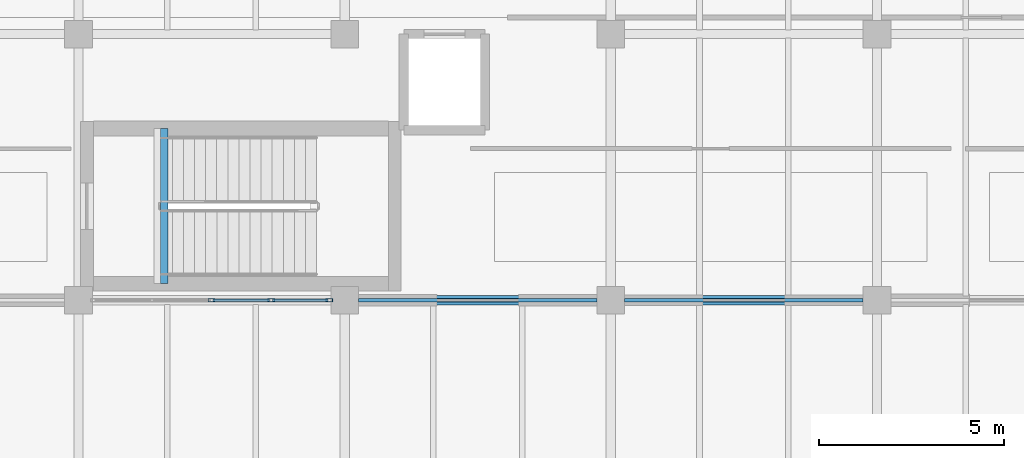
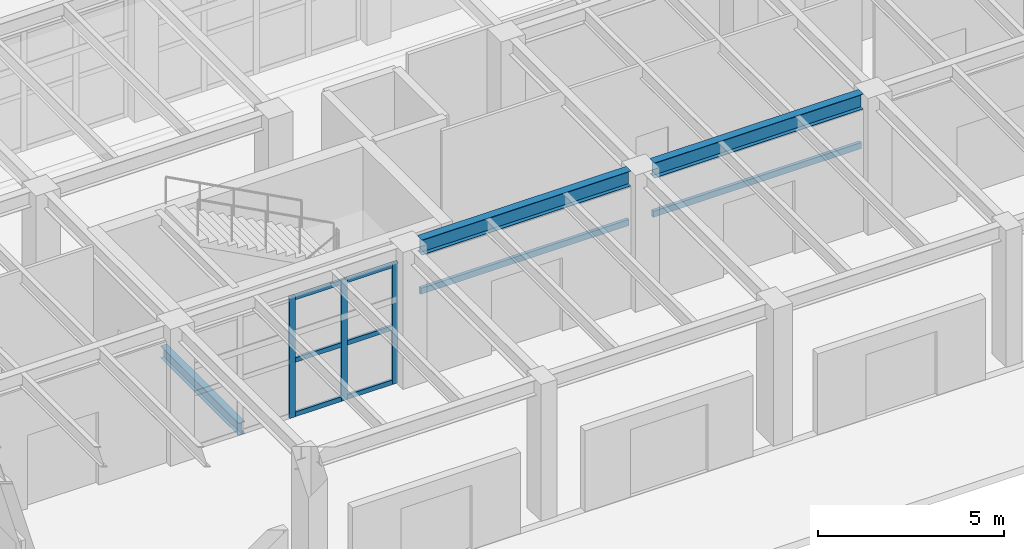
# One storey, part 9 of 39: 9 members, 5 beams, 1 element without a shape of its own.
"""IFC4 building model written with IfcOpenShell, lengths in metres."""

from ifc_helpers import new_model, si_unit, direction, frame, origin, origin_2d, place, context, subcontext, project, spatial, hollow_rectangle, i_section, extrude, material, layer, layer_set, material_profile, profile_set, type_object, element, aggregate, save


model = new_model("IFC4")

# Units and contexts
model_context = context("Model", 3, precision=1e-05, world=origin(), true_north=direction((0.0, 1.0)))
body_context = subcontext(model_context, "Body", "Model", "MODEL_VIEW")
ifc_project = project(units=[si_unit("LENGTHUNIT", "METRE"), si_unit("AREAUNIT", "SQUARE_METRE"), si_unit("VOLUMEUNIT", "CUBIC_METRE"), si_unit("PLANEANGLEUNIT", "RADIAN"), si_unit("MASSUNIT", "GRAM", prefix="KILO")], contexts=[model_context])

# Site, building, storey
site_placement = place(None, origin())
site = spatial("IfcSite", under=ifc_project, at=site_placement, CompositionType="ELEMENT")
building_placement = place(site_placement, origin())
building = spatial("IfcBuilding", under=site, at=building_placement, Name="Kandorven Conservatory and Botanical Research Centre", CompositionType="ELEMENT")
storey_placement = place(building_placement, origin())
storey = spatial("IfcBuildingStorey", under=building, at=storey_placement, Name="L00", CompositionType="ELEMENT", Elevation=0.0)

# Beams
ifc_material_1 = material(Name="Steel S355 (IS 2062 E350)", Category="steel")
ifc_material_profile_1 = material_profile(ifc_material_1, i_section(OverallWidth=0.25, OverallDepth=0.5, WebThickness=0.010009765625, FlangeThickness=0.0146484375, at=origin_2d()))
ifc_profile_set_1 = profile_set([ifc_material_profile_1], Name="Steel S355 (IS 2062 E350)")
beam_type_1 = type_object("IfcBeamType", Name="Beam_FG-02", PredefinedType="USERDEFINED", material=ifc_profile_set_1)
beam_1_placement = place(storey_placement, frame((56.764892578125, 13.199951171875, 4.22998046875), z_axis=(1.0, 0.0, 0.0), x_axis=(0.0, 1.0, 0.0)))
element("IfcBeam", 1, at=beam_1_placement, inside=storey, type_object=beam_type_1, Name="Primary girder FG-02 VIS L00", ObjectType="GIRDER", PredefinedType="USERDEFINED", context=body_context, shape_type="SweptSolid", body=[
    extrude(i_section(OverallWidth=0.25, OverallDepth=0.5, WebThickness=0.010009765625, FlangeThickness=0.0146484375, at=origin_2d()), origin(), (0.0, 0.0, 1.0), 6.47021484375),
])
beam_2_placement = place(storey_placement, frame((63.965087890625, 13.199951171875, 4.22998046875), z_axis=(1.0, 0.0, 0.0), x_axis=(0.0, 1.0, 0.0)))
element("IfcBeam", 2, at=beam_2_placement, inside=storey, type_object=beam_type_1, Name="Primary girder FG-02 VIS L00", ObjectType="GIRDER", PredefinedType="USERDEFINED", context=body_context, shape_type="SweptSolid", body=[
    extrude(i_section(OverallWidth=0.25, OverallDepth=0.5, WebThickness=0.010009765625, FlangeThickness=0.0146484375, at=origin_2d()), origin(), (0.0, 0.0, 1.0), 6.469970703125),
])
ifc_material_2 = material(Name="Steel S355 (IS 2062 E350)", Category="steel")
ifc_material_profile_2 = material_profile(ifc_material_2, i_section(OverallWidth=0.199951171875, OverallDepth=0.39990234375, WebThickness=0.008544921875, FlangeThickness=0.012939453125, at=origin_2d()))
ifc_profile_set_2 = profile_set([ifc_material_profile_2], Name="Steel S355 (IS 2062 E350)")
beam_type_2 = type_object("IfcBeamType", Name="Beam_FG-03", PredefinedType="USERDEFINED", material=ifc_profile_set_2)
beam_3_placement = place(storey_placement, frame((51.52001953125, 13.64990234375, -0.199951171875), z_axis=(0.0, 1.0, 0.0), x_axis=(-1.0, 0.0, 0.0)))
element("IfcBeam", 3, at=beam_3_placement, inside=storey, type_object=beam_type_2, Name="Stair well bottom trimmer girder FG-03 ST-V3A L00", ObjectType="GIRDER", PredefinedType="USERDEFINED", context=body_context, shape_type="SweptSolid", body=[
    extrude(i_section(OverallWidth=0.199951171875, OverallDepth=0.39990234375, WebThickness=0.008544921875, FlangeThickness=0.012939453125, at=origin_2d()), origin(), (0.0, 0.0, 1.0), 4.190185546875),
])
ifc_material_3 = material(Name="Steel S355 (IS 2062 E350)", Category="steel")
ifc_material_profile_3 = material_profile(ifc_material_3, hollow_rectangle(XDim=0.10009765625, YDim=0.199951171875, WallThickness=0.008056640625, at=origin_2d()))
ifc_profile_set_3 = profile_set([ifc_material_profile_3], Name="Steel S355 (IS 2062 E350)")
beam_type_3 = type_object("IfcBeamType", Name="Beam_LN-01", PredefinedType="LINTEL", material=ifc_profile_set_3)
beam_4_placement = place(storey_placement, frame((56.77490234375, 13.199951171875, 2.75), z_axis=(1.0, 0.0, 0.0), x_axis=(0.0, 1.0, 0.0)))
element("IfcBeam", 4, at=beam_4_placement, inside=storey, type_object=beam_type_3, Name="Column-to-column opening transom lintel LN-01 L00-3-1", PredefinedType="LINTEL", context=body_context, shape_type="SweptSolid", body=[
    extrude(hollow_rectangle(XDim=0.10009765625, YDim=0.199951171875, WallThickness=0.008056640625, at=origin_2d()), origin(), (0.0, 0.0, 1.0), 6.4501953125),
])
beam_5_placement = place(storey_placement, frame((63.97509765625, 13.199951171875, 2.75), z_axis=(1.0, 0.0, 0.0), x_axis=(0.0, 1.0, 0.0)))
element("IfcBeam", 5, at=beam_5_placement, inside=storey, type_object=beam_type_3, Name="Column-to-column opening transom lintel LN-01 L00-4-1", PredefinedType="LINTEL", context=body_context, shape_type="SweptSolid", body=[
    extrude(hollow_rectangle(XDim=0.10009765625, YDim=0.199951171875, WallThickness=0.008056640625, at=origin_2d()), origin(), (0.0, 0.0, 1.0), 6.449951171875),
])

# Curtain wall, members
ifc_material_4 = material(Name="Bronze anodised thermally broken aluminium", Category="aluminium")
ifc_layer = layer(ifc_material_4, 0.179931640625)
ifc_layer_set = layer_set([ifc_layer], Name="Bronze anodised thermally broken aluminium")
curtain_wall_type = type_object("IfcCurtainWallType", Name="CW_Unitised", PredefinedType="USERDEFINED", material=ifc_layer_set)
curtain_wall_placement = place(storey_placement, origin())
curtain_wall = element("IfcCurtainWall", 6, at=curtain_wall_placement, inside=storey, type_object=curtain_wall_type, Name="Visitor wing unitised curtain wall CW-VIS-S-L00-2", ObjectType="UNITISED GLAZING", PredefinedType="USERDEFINED")
ifc_material_5 = material(Name="Bronze anodised thermally broken aluminium", Category="aluminium")
ifc_material_profile_4 = material_profile(ifc_material_5, hollow_rectangle(XDim=0.080078125, YDim=0.179931640625, WallThickness=0.006103515625, at=origin_2d()))
ifc_profile_set_4 = profile_set([ifc_material_profile_4], Name="Bronze anodised thermally broken aluminium")
member_type_1 = type_object("IfcMemberType", Name="CW_Mullion", PredefinedType="MULLION", material=ifc_profile_set_4)
member_1_placement = place(storey_placement, frame((52.800048828125, 13.199951171875, 0.0), z_axis=(0.0, 0.0, 1.0), x_axis=(0.0, 1.0, 0.0)))
member_1 = element("IfcMember", 7, at=member_1_placement, type_object=member_type_1, Name="CW-01 mullion 3", PredefinedType="MULLION", context=body_context, shape_type="SweptSolid", body=[
    extrude(hollow_rectangle(XDim=0.080078125, YDim=0.179931640625, WallThickness=0.006103515625, at=origin_2d()), origin(), (0.0, 0.0, 1.0), 3.969970703125),
])
member_2_placement = place(storey_placement, frame((54.41259765625, 13.199951171875, 0.0), z_axis=(0.0, 0.0, 1.0), x_axis=(0.0, 1.0, 0.0)))
member_2 = element("IfcMember", 8, at=member_2_placement, type_object=member_type_1, Name="CW-01 mullion 4", PredefinedType="MULLION", context=body_context, shape_type="SweptSolid", body=[
    extrude(hollow_rectangle(XDim=0.080078125, YDim=0.179931640625, WallThickness=0.006103515625, at=origin_2d()), origin(), (0.0, 0.0, 1.0), 3.969970703125),
])
member_3_placement = place(storey_placement, frame((55.985107421875, 13.199951171875, 0.0), z_axis=(0.0, 0.0, 1.0), x_axis=(0.0, 1.0, 0.0)))
member_3 = element("IfcMember", 9, at=member_3_placement, type_object=member_type_1, Name="CW-01 mullion 5", PredefinedType="MULLION", context=body_context, shape_type="SweptSolid", body=[
    extrude(hollow_rectangle(XDim=0.080078125, YDim=0.179931640625, WallThickness=0.006103515625, at=origin_2d()), origin(), (0.0, 0.0, 1.0), 3.969970703125),
])
ifc_material_6 = material(Name="Bronze anodised thermally broken aluminium", Category="aluminium")
ifc_material_profile_5 = material_profile(ifc_material_6, hollow_rectangle(XDim=0.074951171875, YDim=0.14990234375, WallThickness=0.006103515625, at=origin_2d()))
ifc_profile_set_5 = profile_set([ifc_material_profile_5], Name="Bronze anodised thermally broken aluminium")
member_type_2 = type_object("IfcMemberType", Name="CW_Transom", PredefinedType="USERDEFINED", material=ifc_profile_set_5)
member_4_placement = place(storey_placement, frame((52.840087890625, 13.199951171875, 0.074951171875), z_axis=(1.0, 0.0, 0.0), x_axis=(0.0, 1.0, 0.0)))
member_4 = element("IfcMember", 10, at=member_4_placement, type_object=member_type_2, Name="CW-01 transom 3.1", ObjectType="TRANSOM", PredefinedType="USERDEFINED", context=body_context, shape_type="SweptSolid", body=[
    extrude(hollow_rectangle(XDim=0.074951171875, YDim=0.14990234375, WallThickness=0.006103515625, at=origin_2d()), origin(), (0.0, 0.0, 1.0), 1.532470703125),
])
member_5_placement = place(storey_placement, frame((52.840087890625, 13.199951171875, 1.85009765625), z_axis=(1.0, 0.0, 0.0), x_axis=(0.0, 1.0, 0.0)))
member_5 = element("IfcMember", 11, at=member_5_placement, type_object=member_type_2, Name="CW-01 transom 3.2", ObjectType="TRANSOM", PredefinedType="USERDEFINED", context=body_context, shape_type="SweptSolid", body=[
    extrude(hollow_rectangle(XDim=0.074951171875, YDim=0.14990234375, WallThickness=0.006103515625, at=origin_2d()), origin(), (0.0, 0.0, 1.0), 1.532470703125),
])
member_6_placement = place(storey_placement, frame((52.840087890625, 13.199951171875, 3.89501953125), z_axis=(1.0, 0.0, 0.0), x_axis=(0.0, 1.0, 0.0)))
member_6 = element("IfcMember", 12, at=member_6_placement, type_object=member_type_2, Name="CW-01 transom 3.3", ObjectType="TRANSOM", PredefinedType="USERDEFINED", context=body_context, shape_type="SweptSolid", body=[
    extrude(hollow_rectangle(XDim=0.074951171875, YDim=0.14990234375, WallThickness=0.006103515625, at=origin_2d()), origin(), (0.0, 0.0, 1.0), 1.532470703125),
])
member_7_placement = place(storey_placement, frame((54.452392578125, 13.199951171875, 0.074951171875), z_axis=(1.0, 0.0, 0.0), x_axis=(0.0, 1.0, 0.0)))
member_7 = element("IfcMember", 13, at=member_7_placement, type_object=member_type_2, Name="CW-01 transom 4.1", ObjectType="TRANSOM", PredefinedType="USERDEFINED", context=body_context, shape_type="SweptSolid", body=[
    extrude(hollow_rectangle(XDim=0.074951171875, YDim=0.14990234375, WallThickness=0.006103515625, at=origin_2d()), origin(), (0.0, 0.0, 1.0), 1.49267578125),
])
member_8_placement = place(storey_placement, frame((54.452392578125, 13.199951171875, 1.85009765625), z_axis=(1.0, 0.0, 0.0), x_axis=(0.0, 1.0, 0.0)))
member_8 = element("IfcMember", 14, at=member_8_placement, type_object=member_type_2, Name="CW-01 transom 4.2", ObjectType="TRANSOM", PredefinedType="USERDEFINED", context=body_context, shape_type="SweptSolid", body=[
    extrude(hollow_rectangle(XDim=0.074951171875, YDim=0.14990234375, WallThickness=0.006103515625, at=origin_2d()), origin(), (0.0, 0.0, 1.0), 1.49267578125),
])
member_9_placement = place(storey_placement, frame((54.452392578125, 13.199951171875, 3.89501953125), z_axis=(1.0, 0.0, 0.0), x_axis=(0.0, 1.0, 0.0)))
member_9 = element("IfcMember", 15, at=member_9_placement, type_object=member_type_2, Name="CW-01 transom 4.3", ObjectType="TRANSOM", PredefinedType="USERDEFINED", context=body_context, shape_type="SweptSolid", body=[
    extrude(hollow_rectangle(XDim=0.074951171875, YDim=0.14990234375, WallThickness=0.006103515625, at=origin_2d()), origin(), (0.0, 0.0, 1.0), 1.49267578125),
])
aggregate(curtain_wall, [member_1, member_2, member_3, member_4, member_5, member_6, member_7, member_8, member_9])

save(model, "model.ifc")
